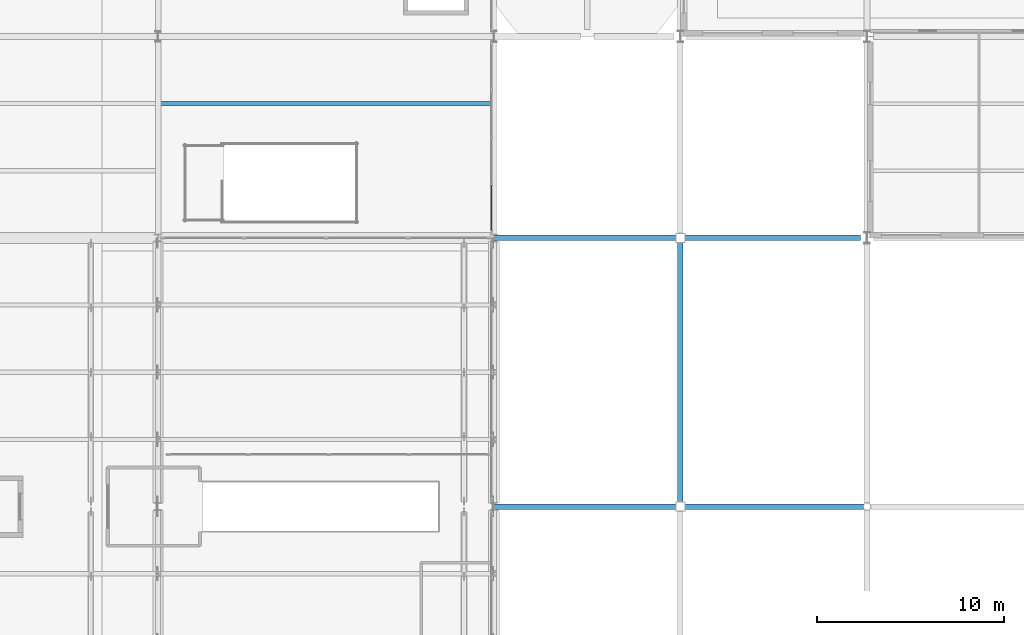
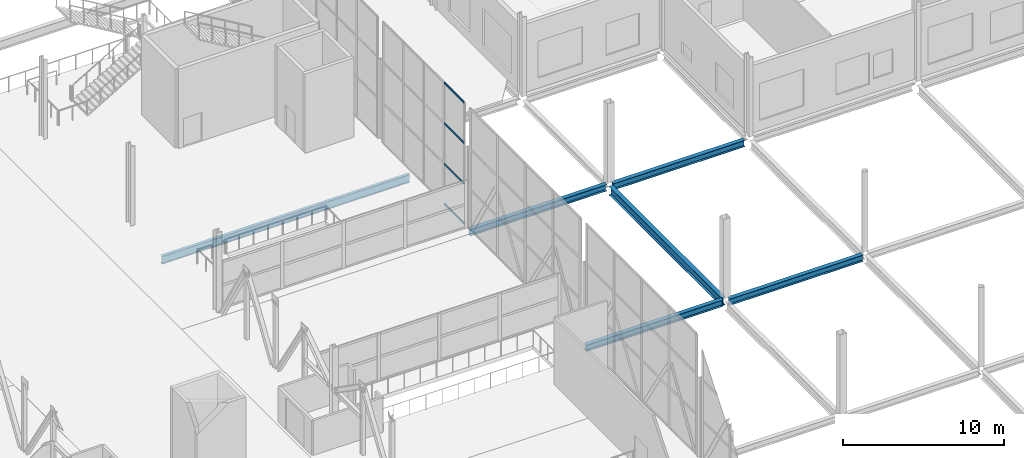
# One storey, part 112 of 191: 6 beams, 4 members, 1 element without a shape of its own.
"""IFC4 building model written with IfcOpenShell, lengths in metres."""

from ifc_helpers import new_model, si_unit, direction, frame, origin, origin_2d, place, context, subcontext, project, spatial, hollow_rectangle, i_section, extrude, material, layer, layer_set, material_profile, profile_set, type_object, element, aggregate, save


model = new_model("IFC4")

# Units and contexts
model_context = context("Model", 3, precision=1e-05, world=origin(), true_north=direction((0.0, 1.0)))
body_context = subcontext(model_context, "Body", "Model", "MODEL_VIEW")
ifc_project = project(units=[si_unit("LENGTHUNIT", "METRE"), si_unit("AREAUNIT", "SQUARE_METRE"), si_unit("VOLUMEUNIT", "CUBIC_METRE"), si_unit("PLANEANGLEUNIT", "RADIAN"), si_unit("MASSUNIT", "GRAM", prefix="KILO")], contexts=[model_context])

# Site, building, storey
site_placement = place(None, origin())
site = spatial("IfcSite", under=ifc_project, at=site_placement, CompositionType="ELEMENT")
building_placement = place(site_placement, origin())
building = spatial("IfcBuilding", under=site, at=building_placement, Name="Tamarisk Ironworks Central Station", CompositionType="ELEMENT")
storey_placement = place(building_placement, frame((0.0, 0.0, 6.60009765625)))
storey = spatial("IfcBuildingStorey", under=building, at=storey_placement, Name="L01", CompositionType="ELEMENT", Elevation=6.60009765625)

# Beams
ifc_material_1 = material(Name="Structural steel S355J2", Category="steel")
ifc_material_profile_1 = material_profile(ifc_material_1, i_section(OverallWidth=0.219970703125, OverallDepth=0.60009765625, WebThickness=0.011962890625, FlangeThickness=0.01904296875, at=origin_2d()), Name="IPE 600")
ifc_profile_set_1 = profile_set([ifc_material_profile_1], Name="Structural steel S355J2")
beam_type_1 = type_object("IfcBeamType", Name="BM-B01", PredefinedType="BEAM", material=ifc_profile_set_1)
beam_1_placement = place(storey_placement, frame((90.135009765625, 86.39990234375, -0.60009765625), z_axis=(1.0, 0.0, 0.0), x_axis=(0.0, 1.0, 0.0)))
element("IfcBeam", 1, at=beam_1_placement, inside=storey, type_object=beam_type_1, Name="L01 secondary composite beam 0044", PredefinedType="BEAM", context=body_context, shape_type="SweptSolid", body=[
    extrude(i_section(OverallWidth=0.219970703125, OverallDepth=0.60009765625, WebThickness=0.011962890625, FlangeThickness=0.01904296875, at=origin_2d()), origin(), (0.0, 0.0, 1.0), 17.72998046875),
])
ifc_material_profile_2 = material_profile(ifc_material_1, i_section(OverallWidth=0.300048828125, OverallDepth=0.639892578125, WebThickness=0.013427734375, FlangeThickness=0.02587890625, at=origin_2d()), Name="HEA 650")
ifc_profile_set_2 = profile_set([ifc_material_profile_2], Name="Structural steel S355J2")
beam_type_2 = type_object("IfcBeamType", Name="BM-G02", PredefinedType="BEAM", material=ifc_profile_set_2)
beam_2_placement = place(storey_placement, frame((118.0, 65.0380859375, -0.570068359375), z_axis=(0.0, 1.0, 0.0), x_axis=(-1.0, 0.0, 0.0)))
element("IfcBeam", 2, at=beam_2_placement, inside=storey, type_object=beam_type_2, Name="L01 primary girder Y-0245", PredefinedType="BEAM", context=body_context, shape_type="SweptSolid", body=[
    extrude(i_section(OverallWidth=0.300048828125, OverallDepth=0.639892578125, WebThickness=0.013427734375, FlangeThickness=0.02587890625, at=origin_2d()), origin(), (0.0, 0.0, 1.0), 13.923828125),
])
ifc_material_profile_3 = material_profile(ifc_material_1, i_section(OverallWidth=0.300048828125, OverallDepth=0.489990234375, WebThickness=0.011962890625, FlangeThickness=0.02294921875, at=origin_2d()), Name="HEA 500")
ifc_profile_set_3 = profile_set([ifc_material_profile_3], Name="Structural steel S355J2")
beam_type_3 = type_object("IfcBeamType", Name="BM-G05", PredefinedType="BEAM", material=ifc_profile_set_3)
beam_3_placement = place(storey_placement, frame((108.00390625, 64.800048828125, -0.385009765625), z_axis=(1.0, 0.0, 0.0), x_axis=(0.0, 1.0, 0.0)))
element("IfcBeam", 3, at=beam_3_placement, inside=storey, type_object=beam_type_3, Name="L01 primary girder X-0072", PredefinedType="BEAM", context=body_context, shape_type="SweptSolid", body=[
    extrude(i_section(OverallWidth=0.300048828125, OverallDepth=0.489990234375, WebThickness=0.011962890625, FlangeThickness=0.02294921875, at=origin_2d()), origin(), (0.0, 0.0, 1.0), 9.758056640625),
])
beam_4_placement = place(storey_placement, frame((118.238037109375, 64.800048828125, -0.4951171875), z_axis=(1.0, 0.0, 0.0), x_axis=(0.0, 1.0, 0.0)))
element("IfcBeam", 4, at=beam_4_placement, inside=storey, type_object=beam_type_3, Name="L01 primary girder X-0073", PredefinedType="BEAM", context=body_context, shape_type="SweptSolid", body=[
    extrude(i_section(OverallWidth=0.300048828125, OverallDepth=0.489990234375, WebThickness=0.011962890625, FlangeThickness=0.02294921875, at=origin_2d()), origin(), (0.0, 0.0, 1.0), 9.57080078125),
])
beam_5_placement = place(storey_placement, frame((108.00390625, 79.199951171875, -0.385009765625), z_axis=(1.0, 0.0, 0.0), x_axis=(0.0, 1.0, 0.0)))
element("IfcBeam", 5, at=beam_5_placement, inside=storey, type_object=beam_type_3, Name="L01 primary girder X-0087", PredefinedType="BEAM", context=body_context, shape_type="SweptSolid", body=[
    extrude(i_section(OverallWidth=0.300048828125, OverallDepth=0.489990234375, WebThickness=0.011962890625, FlangeThickness=0.02294921875, at=origin_2d()), origin(), (0.0, 0.0, 1.0), 9.758056640625),
])
beam_6_placement = place(storey_placement, frame((118.238037109375, 79.199951171875, -0.4951171875), z_axis=(1.0, 0.0, 0.0), x_axis=(0.0, 1.0, 0.0)))
element("IfcBeam", 6, at=beam_6_placement, inside=storey, type_object=beam_type_3, Name="L01 primary girder X-0088", PredefinedType="BEAM", context=body_context, shape_type="SweptSolid", body=[
    extrude(i_section(OverallWidth=0.300048828125, OverallDepth=0.489990234375, WebThickness=0.011962890625, FlangeThickness=0.02294921875, at=origin_2d()), origin(), (0.0, 0.0, 1.0), 9.424072265625),
])

# Curtain wall, members
ifc_material_2 = material(Name="Anodized aluminium alloy 6063-T6", Category="aluminium")
ifc_layer = layer(ifc_material_2, 0.179931640625)
ifc_layer_set = layer_set([ifc_layer], Name="Anodized aluminium alloy 6063-T6")
curtain_wall_type = type_object("IfcCurtainWallType", Name="CW-07", PredefinedType="USERDEFINED", material=ifc_layer_set)
curtain_wall_placement = place(storey_placement, origin())
curtain_wall = element("IfcCurtainWall", 7, at=curtain_wall_placement, inside=storey, type_object=curtain_wall_type, Name="Concourse E track-overlook curtain wall 06", ObjectType="GLAZED CURTAIN WALL", PredefinedType="USERDEFINED")
ifc_material_profile_4 = material_profile(ifc_material_2, hollow_rectangle(XDim=0.06494140625, YDim=0.135009765625, WallThickness=0.00341796875, at=origin_2d()), Name="ALUM 135x65")
ifc_profile_set_4 = profile_set([ifc_material_profile_4], Name="Anodized aluminium alloy 6063-T6")
member_type = type_object("IfcMemberType", Name="CWT-02", PredefinedType="USERDEFINED", material=ifc_profile_set_4)
member_1_placement = place(storey_placement, frame((107.8798828125, 79.611083984375, 0.032470703125), z_axis=(0.0, 1.0, 0.0), x_axis=(-1.0, 0.0, 0.0)))
member_1 = element("IfcMember", 8, at=member_1_placement, type_object=member_type, Name="CW07 transom 1.1", ObjectType="TRANSOM", PredefinedType="USERDEFINED", context=body_context, shape_type="SweptSolid", body=[
    extrude(hollow_rectangle(XDim=0.06494140625, YDim=0.135009765625, WallThickness=0.00341796875, at=origin_2d()), origin(), (0.0, 0.0, 1.0), 2.435302734375),
])
member_2_placement = place(storey_placement, frame((107.8798828125, 79.611083984375, 3.0732421875), z_axis=(0.0, 1.0, 0.0), x_axis=(-1.0, 0.0, 0.0)))
member_2 = element("IfcMember", 9, at=member_2_placement, type_object=member_type, Name="CW07 transom 1.2", ObjectType="TRANSOM", PredefinedType="USERDEFINED", context=body_context, shape_type="SweptSolid", body=[
    extrude(hollow_rectangle(XDim=0.06494140625, YDim=0.135009765625, WallThickness=0.00341796875, at=origin_2d()), origin(), (0.0, 0.0, 1.0), 2.435302734375),
])
member_3_placement = place(storey_placement, frame((107.8798828125, 79.611083984375, 6.146484375), z_axis=(0.0, 1.0, 0.0), x_axis=(-1.0, 0.0, 0.0)))
member_3 = element("IfcMember", 10, at=member_3_placement, type_object=member_type, Name="CW07 transom 1.3", ObjectType="TRANSOM", PredefinedType="USERDEFINED", context=body_context, shape_type="SweptSolid", body=[
    extrude(hollow_rectangle(XDim=0.06494140625, YDim=0.135009765625, WallThickness=0.00341796875, at=origin_2d()), origin(), (0.0, 0.0, 1.0), 2.435302734375),
])
member_4_placement = place(storey_placement, frame((107.8798828125, 79.611083984375, 9.1875), z_axis=(0.0, 1.0, 0.0), x_axis=(-1.0, 0.0, 0.0)))
member_4 = element("IfcMember", 11, at=member_4_placement, type_object=member_type, Name="CW07 transom 1.4", ObjectType="TRANSOM", PredefinedType="USERDEFINED", context=body_context, shape_type="SweptSolid", body=[
    extrude(hollow_rectangle(XDim=0.06494140625, YDim=0.135009765625, WallThickness=0.00341796875, at=origin_2d()), origin(), (0.0, 0.0, 1.0), 2.435302734375),
])
aggregate(curtain_wall, [member_1, member_2, member_3, member_4])

save(model, "model.ifc")
